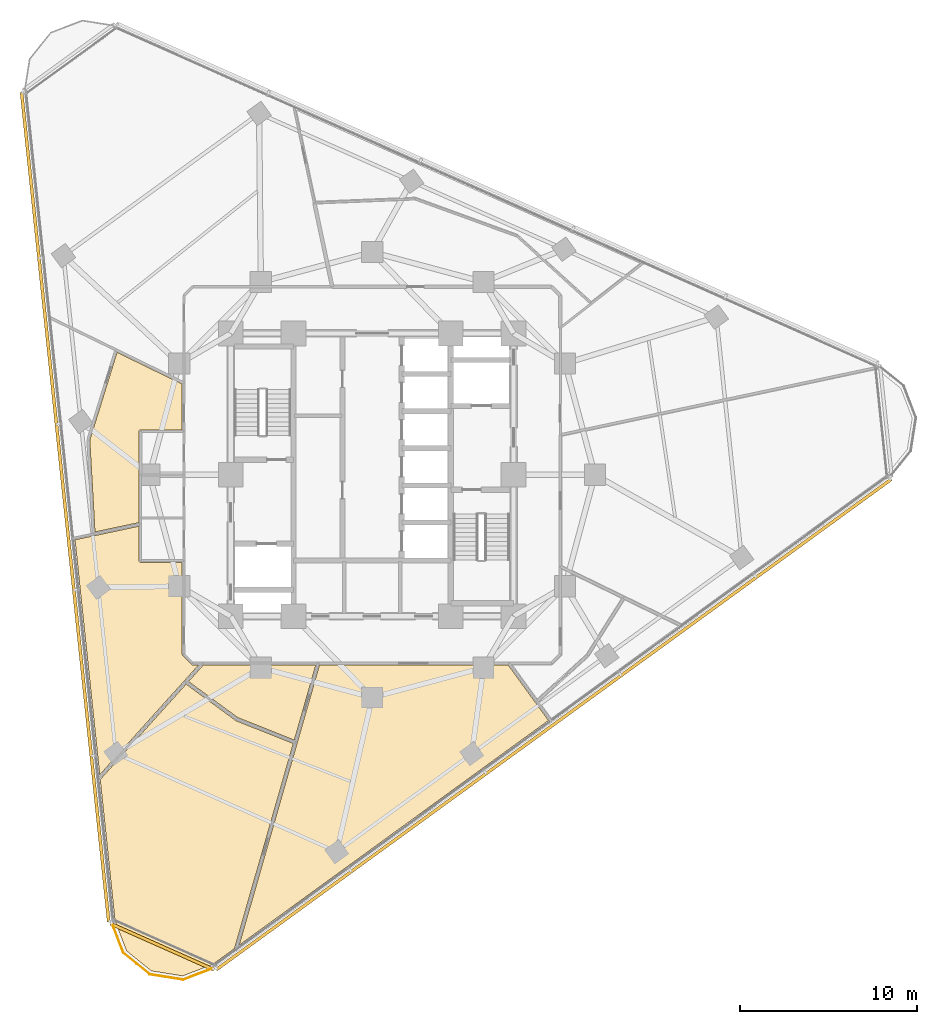
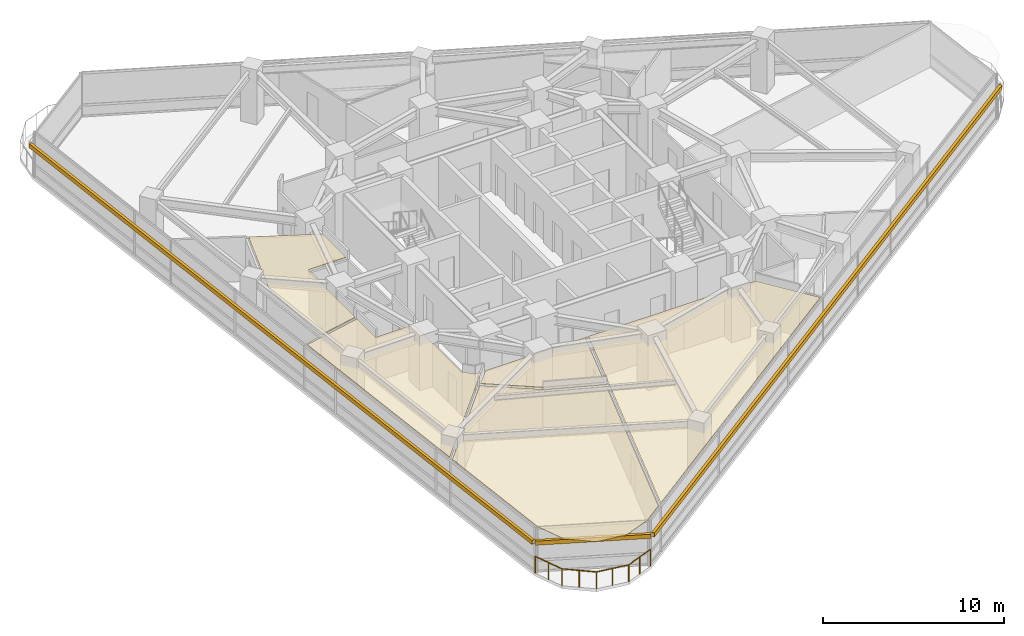
# One storey, part 12 of 14: 5 coverings, 3 shading devices, 1 railing.
"""IFC4 building model written with IfcOpenShell, lengths in metres."""

from ifc_helpers import new_model, si_unit, direction, frame, origin, origin_2d, place, context, subcontext, project, spatial, polyline, rectangle, circle, outline, extrude, material, layer, layer_set, type_object, element, save


model = new_model("IFC4")

# Units and contexts
model_context = context("Model", 3, precision=1e-05, world=origin(), true_north=direction((0.0, 1.0)))
body_context = subcontext(model_context, "Body", "Model", "MODEL_VIEW")
ifc_project = project(units=[si_unit("LENGTHUNIT", "METRE"), si_unit("AREAUNIT", "SQUARE_METRE"), si_unit("VOLUMEUNIT", "CUBIC_METRE"), si_unit("PLANEANGLEUNIT", "RADIAN"), si_unit("MASSUNIT", "GRAM", prefix="KILO")], contexts=[model_context])

# Site, building, storey
site_placement = place(None, origin())
site = spatial("IfcSite", under=ifc_project, at=site_placement, CompositionType="ELEMENT")
building_placement = place(site_placement, origin())
building = spatial("IfcBuilding", under=site, at=building_placement, Name="Terralouvre Media Tower", CompositionType="ELEMENT")
storey_placement = place(building_placement, frame((0.0, 0.0, 169.39990234375)))
storey = spatial("IfcBuildingStorey", under=building, at=storey_placement, Name="L43", CompositionType="ELEMENT", Elevation=169.39990234375)

# Coverings
ifc_material_1 = material(Name="Perforated aluminium acoustic ceiling baffle", Category="aluminium")
ifc_layer_1 = layer(ifc_material_1, 0.0400390625, Name="Perforated Acoustic Metal Tile Ceiling CL-AC1")
ifc_layer_set_1 = layer_set([ifc_layer_1], Name="Perforated aluminium acoustic ceiling baffle")
covering_type = type_object("IfcCoveringType", Name="Perforated Acoustic Metal Tile Ceiling CL-AC1", PredefinedType="CEILING", material=ifc_layer_set_1)
covering_1_placement = place(storey_placement, frame((0.0, 0.0, 2.97998046875), z_axis=(0.0, 0.0, 1.0), x_axis=(0.809016994375, 0.587785252292, 0.0)))
element("IfcCovering", 1, at=covering_1_placement, inside=storey, type_object=covering_type, Name="L43 Journalism Training Classroom 1 Acoustic Ceiling", PredefinedType="CEILING", context=body_context, shape_type="SweptSolid", body=[
    extrude(outline(polyline([(-14.258056640625, -2.9287109375), (-14.5302734375, -2.73095703125), (-14.537841796875, -2.724853515625), (-14.544921875, -2.718017578125), (-14.55126953125, -2.71044921875), (-14.556640625, -2.7021484375), (-14.561279296875, -2.693603515625), (-14.565185546875, -2.6845703125), (-14.568115234375, -2.67529296875), (-14.570068359375, -2.665771484375), (-14.680908203125, -1.96728515625), (-14.681884765625, -1.95751953125), (-14.681884765625, -1.94775390625), (-14.68115234375, -1.93798828125), (-14.67919921875, -1.92822265625), (-14.676513671875, -1.918701171875), (-14.6728515625, -1.90966796875), (-14.668212890625, -1.901123046875), (-14.662841796875, -1.892822265625), (-11.6064453125, 2.31396484375), (-13.507568359375, 3.6953125), (-13.515380859375, 3.701416015625), (-13.522216796875, 3.708251953125), (-13.528564453125, 3.7158203125), (-13.5341796875, 3.72412109375), (-13.538818359375, 3.732666015625), (-13.542724609375, 3.74169921875), (-13.545654296875, 3.7509765625), (-13.547607421875, 3.760498046875), (-13.548583984375, 3.7705078125), (-13.548828125, 3.780029296875), (-13.5478515625, 3.7900390625), (-13.546142578125, 3.799560546875), (-13.54345703125, 3.80908203125), (-13.539794921875, 3.818115234375), (-13.53515625, 3.826904296875), (-13.52978515625, 3.8349609375), (-12.387939453125, 5.406494140625), (-14.775390625, 6.469482421875), (-15.7626953125, 6.908447265625), (-22.447265625, -4.668701171875), (-15.429931640625, -3.177490234375), (-14.258056640625, -2.9287109375)])), origin(), (0.0, 0.0, 1.0), 0.0400390625),
])
covering_2_placement = place(storey_placement, frame((0.0, 0.0, 2.97998046875), z_axis=(0.0, 0.0, 1.0), x_axis=(0.809016994375, 0.587785252292, 0.0)))
element("IfcCovering", 2, at=covering_2_placement, inside=storey, type_object=covering_type, Name="L43 Broadcast Ethics Seminar Room 2 Acoustic Ceiling", PredefinedType="CEILING", context=body_context, shape_type="SweptSolid", body=[
    extrude(outline(polyline([(-14.228271484375, -6.634765625), (-12.387939453125, -9.5517578125), (-8.896728515625, -6.82373046875), (-14.040283203125, -3.0869140625), (-15.280029296875, -3.35009765625), (-14.228271484375, -6.634765625)])), origin(), (0.0, 0.0, 1.0), 0.0400390625),
])
covering_3_placement = place(storey_placement, frame((0.0, 0.0, 2.97998046875), z_axis=(0.0, 0.0, 1.0), x_axis=(0.809016994375, 0.587785252292, 0.0)))
element("IfcCovering", 3, at=covering_3_placement, inside=storey, type_object=covering_type, Name="L43 Voice Coaching Interview Room 3 Acoustic Ceiling", PredefinedType="CEILING", context=body_context, shape_type="SweptSolid", body=[
    extrude(outline(polyline([(-14.404296875, -6.730712890625), (-14.408447265625, -6.723388671875), (-14.411865234375, -6.7158203125), (-14.4150390625, -6.7080078125), (-15.476806640625, -3.391845703125), (-22.581787109375, -4.901611328125), (-26.59912109375, -11.860107421875), (-27.072509765625, -13.62548828125), (-26.60693359375, -15.362060546875), (-25.3359375, -16.632568359375), (-23.571044921875, -17.10546875), (-22.056396484375, -17.105712890625), (-12.54638671875, -9.675537109375), (-14.404296875, -6.730712890625)])), origin(), (0.0, 0.0, 1.0), 0.0400390625),
])
covering_4_placement = place(storey_placement, frame((0.0, 0.0, 2.97998046875), z_axis=(0.0, 0.0, 1.0), x_axis=(0.809016994375, 0.587785252292, 0.0)))
element("IfcCovering", 4, at=covering_4_placement, inside=storey, type_object=covering_type, Name="L43 Digital Editing Lecture Room 4 Acoustic Ceiling", PredefinedType="CEILING", context=body_context, shape_type="SweptSolid", body=[
    extrude(outline(polyline([(-0.099853515625, -13.21533203125), (-8.728515625, -6.946044921875), (-12.35205078125, -9.777587890625), (-21.731689453125, -17.105712890625), (-0.100341796875, -17.10595703125), (-0.099853515625, -15.84912109375), (-0.099853515625, -13.21533203125)])), origin(), (0.0, 0.0, 1.0), 0.0400390625),
])
covering_5_placement = place(storey_placement, frame((0.0, 0.0, 2.97998046875), z_axis=(0.0, 0.0, 1.0), x_axis=(0.809016994375, 0.587785252292, 0.0)))
element("IfcCovering", 5, at=covering_5_placement, inside=storey, type_object=covering_type, Name="L43 Admissions Reception 13 Acoustic Ceiling", PredefinedType="CEILING", context=body_context, shape_type="SweptSolid", body=[
    extrude(outline(polyline([(-11.7734375, 10.978759765625), (-14.587646484375, 6.604736328125), (-12.267822265625, 5.572021484375), (-9.239013671875, 9.740966796875), (-9.232666015625, 9.74853515625), (-9.225830078125, 9.755615234375), (-9.218505859375, 9.76171875), (-9.210205078125, 9.767333984375), (-9.20166015625, 9.77197265625), (-9.192626953125, 9.77587890625), (-9.183349609375, 9.77880859375), (-9.173583984375, 9.78076171875), (-9.163818359375, 9.781982421875), (-9.154296875, 9.781982421875), (-9.144287109375, 9.781005859375), (-9.134765625, 9.779296875), (-9.125244140625, 9.776611328125), (-9.1162109375, 9.77294921875), (-9.107421875, 9.768310546875), (-9.099365234375, 9.762939453125), (-7.197998046875, 8.381591796875), (-5.6806640625, 10.47021484375), (-7.605712890625, 14.091796875), (-11.7734375, 10.978759765625)])), origin(), (0.0, 0.0, 1.0), 0.0400390625),
])

# Railing
ifc_material_2 = material(Name="Stainless steel 316 handrail and balustrade", Category="steel")
ifc_layer_2 = layer(ifc_material_2, 0.06005859375, Name="Roof Edge Safety Guardrail GR-ROOF1")
ifc_layer_set_2 = layer_set([ifc_layer_2], Name="Stainless steel 316 handrail and balustrade")
railing_type = type_object("IfcRailingType", Name="Roof Edge Safety Guardrail GR-ROOF1", PredefinedType="GUARDRAIL", material=ifc_layer_set_2)
railing_placement = place(storey_placement, frame((-14.756103515625, -25.268798828125, 0.0)))
element("IfcRailing", 6, at=railing_placement, inside=storey, type_object=railing_type, Name="L43 Wind-Corner Perimeter Safety Guardrail C0", PredefinedType="GUARDRAIL", context=body_context, shape_type="SweptSolid", body=[
    extrude(circle(Radius=0.02099609375, at=origin_2d()), frame((0.0, 0.0, 1.12890625), z_axis=(0.358184292829, -0.933650904981, 0.0), x_axis=(0.933650904981, 0.358184292829, 0.0)), (0.0, 0.0, 1.0), 1.91455078125),
    extrude(circle(Radius=0.02099609375, at=origin_2d()), frame((0.685791015625, -1.78759765625, 1.12890625), z_axis=(0.777022086472, -0.62947333314, 0.0), x_axis=(0.62947333314, 0.777022086472, 0.0)), (0.0, 0.0, 1.0), 1.914306640625),
    extrude(circle(Radius=0.02099609375, at=origin_2d()), frame((2.17333984375, -2.99267578125, 1.12890625), z_axis=(0.987721569441, -0.156224521958, 0.0), x_axis=(0.156224521958, 0.987721569441, 0.0)), (0.0, 0.0, 1.0), 1.914306640625),
    extrude(circle(Radius=0.02099609375, at=origin_2d()), frame((4.064208984375, -3.291748046875, 1.12890625), z_axis=(0.933506543973, 0.358560360832, 0.0), x_axis=(-0.358560360832, 0.933506543973, 0.0)), (0.0, 0.0, 1.0), 1.91455078125),
    extrude(circle(Radius=0.01904296875, at=origin_2d()), origin(), (0.0, 0.0, 1.0), 1.10791015625),
    extrude(circle(Radius=0.01904296875, at=origin_2d()), frame((0.3427734375, -0.893798828125, 0.0)), (0.0, 0.0, 1.0), 1.10791015625),
    extrude(circle(Radius=0.01904296875, at=origin_2d()), frame((0.685791015625, -1.78759765625, 0.0)), (0.0, 0.0, 1.0), 1.10791015625),
    extrude(circle(Radius=0.01904296875, at=origin_2d()), frame((1.4296875, -2.39013671875, 0.0)), (0.0, 0.0, 1.0), 1.10791015625),
    extrude(circle(Radius=0.01904296875, at=origin_2d()), frame((2.17333984375, -2.99267578125, 0.0)), (0.0, 0.0, 1.0), 1.10791015625),
    extrude(circle(Radius=0.01904296875, at=origin_2d()), frame((3.11865234375, -3.14208984375, 0.0)), (0.0, 0.0, 1.0), 1.10791015625),
    extrude(circle(Radius=0.01904296875, at=origin_2d()), frame((4.064208984375, -3.291748046875, 0.0)), (0.0, 0.0, 1.0), 1.10791015625),
    extrude(circle(Radius=0.01904296875, at=origin_2d()), frame((4.9580078125, -2.948486328125, 0.0)), (0.0, 0.0, 1.0), 1.10791015625),
    extrude(circle(Radius=0.01904296875, at=origin_2d()), frame((5.8515625, -2.605224609375, 0.0)), (0.0, 0.0, 1.0), 1.10791015625),
])

# Shading devices
ifc_material_3 = material(Name="Extruded terracotta baguette sunshade louvres", Category="masonry")
shading_device_type = type_object("IfcShadingDeviceType", Name="Terracotta Baguette Sunshade Louvre Screen TB-LV1", PredefinedType="USERDEFINED", material=ifc_material_3)
for number, where, z_axis, x_axis, name in (
    (7, (10.265869140625, -14.1298828125, 2.02392578125), (0.0, 0.0, 1.0), (0.809016917383, 0.587785358263, 0.0), "CW-L43-F0 Terracotta Baguette Sunshade Louvre"),
    (8, (-17.369873046875, -1.82568359375, 2.02392578125), (0.0, 0.0, 1.0), (0.104528376236, -0.994521904516, 0.0), "CW-L43-F2 Terracotta Baguette Sunshade Louvre"),
):
    element("IfcShadingDevice", number, at=place(storey_placement, frame(where, z_axis=z_axis, x_axis=x_axis)), inside=storey, type_object=shading_device_type, Name=name, ObjectType="BAGUETTE", PredefinedType="USERDEFINED", context=body_context, shape_type="SweptSolid", body=[
        extrude(rectangle(XDim=47.199951171875, YDim=0.179931640625, at=origin_2d()), origin(), (0.0, 0.0, 1.0), 0.280029296875),
    ])
shading_device_placement = place(storey_placement, frame((-11.88525390625, -26.694580078125, 2.02392578125), z_axis=(0.0, 0.0, 1.0), x_axis=(0.913545408199, -0.406736754128, 0.0)))
element("IfcShadingDevice", 9, at=shading_device_placement, inside=storey, type_object=shading_device_type, Name="CW-L43-C0 Terracotta Baguette Sunshade Louvre", ObjectType="BAGUETTE", PredefinedType="USERDEFINED", context=body_context, shape_type="SweptSolid", body=[
    extrude(rectangle(XDim=6.40869140625, YDim=0.179931640625, at=origin_2d()), origin(), (0.0, 0.0, 1.0), 0.280029296875),
])

save(model, "model.ifc")
